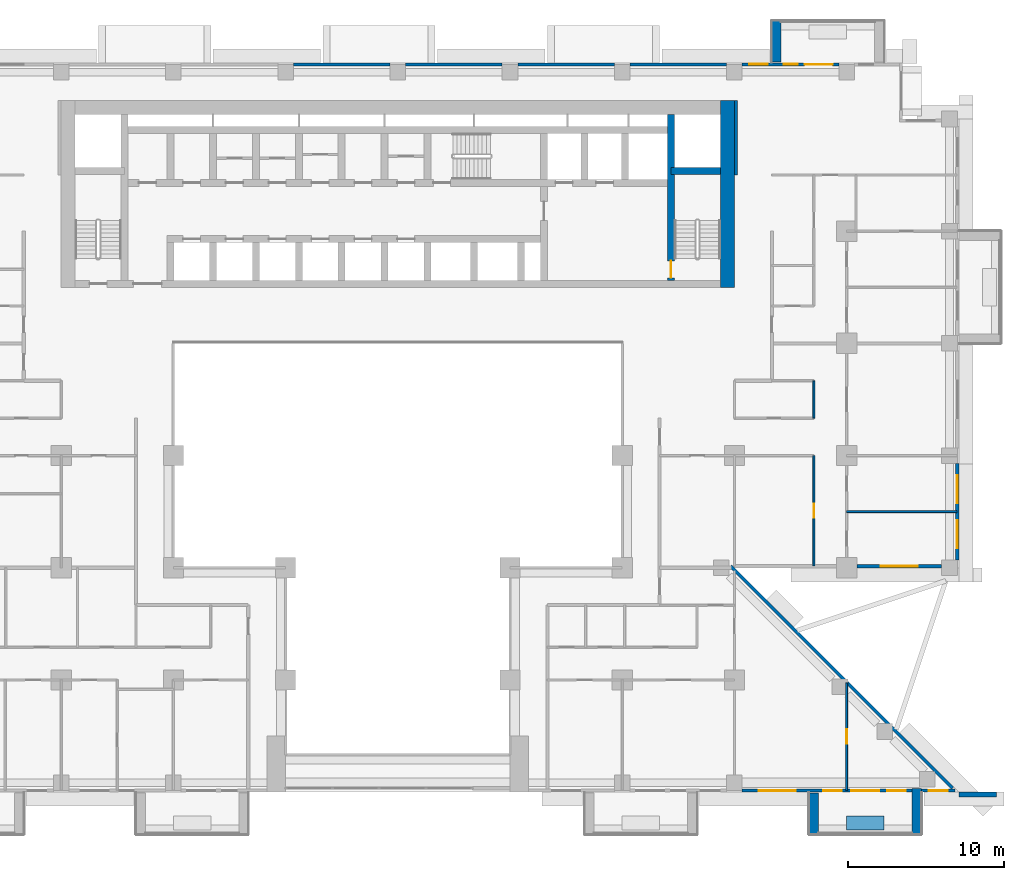
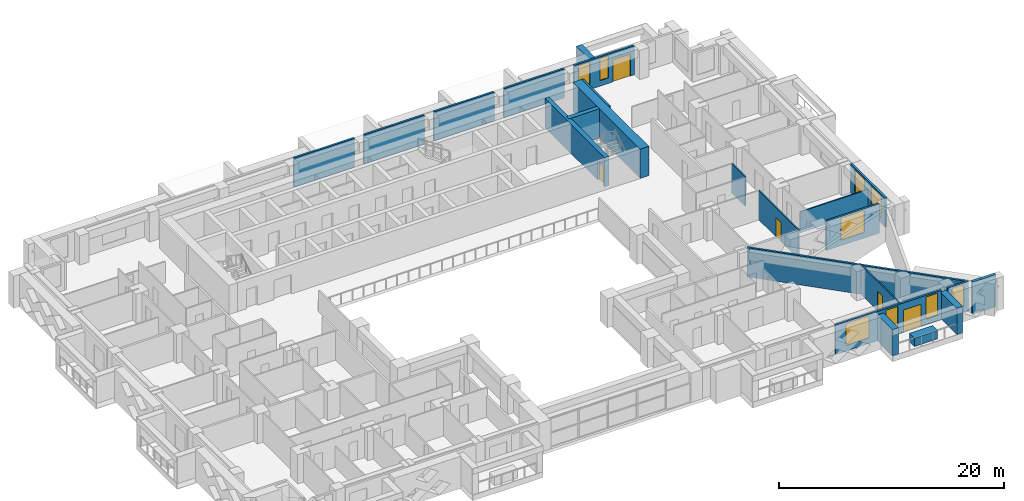
# One storey, part 11 of 17: 23 walls, 9 windows, 5 doors, 14 openings.
"""IFC4 building model written with IfcOpenShell, lengths in metres."""

from ifc_helpers import new_model, si_unit, direction, frame, frame_2d, origin, place, context, subcontext, project, spatial, rectangle, extrude, material, layer, layer_set, type_object, element, fill, save


model = new_model("IFC4")

# Units and contexts
model_context = context("Model", 3, precision=1e-05, world=origin(), true_north=direction((0.0, 1.0)))
body_context = subcontext(model_context, "Body", "Model", "MODEL_VIEW")
ifc_project = project(units=[si_unit("LENGTHUNIT", "METRE"), si_unit("AREAUNIT", "SQUARE_METRE"), si_unit("VOLUMEUNIT", "CUBIC_METRE"), si_unit("PLANEANGLEUNIT", "RADIAN"), si_unit("MASSUNIT", "GRAM", prefix="KILO")], contexts=[model_context])

# Site, building, storey
site_placement = place(None, origin())
site = spatial("IfcSite", under=ifc_project, at=site_placement, CompositionType="ELEMENT")
building_placement = place(site_placement, origin())
building = spatial("IfcBuilding", under=site, at=building_placement, Name="Saffron Iwan Residences", CompositionType="ELEMENT")
storey_placement = place(building_placement, frame((0.0, 0.0, 62.0)))
storey = spatial("IfcBuildingStorey", under=building, at=storey_placement, Name="L15", CompositionType="ELEMENT", Elevation=62.0)

# Walls
ifc_material_1 = material(Name="Concrete C50/60 white painted", Category="concrete")
ifc_layer_1 = layer(ifc_material_1, 0.60009765625)
ifc_layer_set_1 = layer_set([ifc_layer_1], Name="Concrete C50/60 white painted")
wall_type_1 = type_object("IfcWallType", Name="BALCONY FIN 600", PredefinedType="SOLIDWALL", material=ifc_layer_set_1)
for number, where, z_axis, x_axis, name in (
    (1, (74.699951171875, 80.449951171875, 0.0), (0.0, 0.0, 1.0), (0.0, 1.0, 0.0), "Balcony fin L15 F5-0b"),
    (2, (77.10009765625, 33.550048828125, 0.0), (0.0, 0.0, 1.0), (0.0, -1.0, 0.0), "Balcony fin L15 11-3a"),
):
    element("IfcWall", number, at=place(storey_placement, frame(where, z_axis=z_axis, x_axis=x_axis)), inside=storey, type_object=wall_type_1, Name=name, PredefinedType="SOLIDWALL", context=body_context, shape_type="SweptSolid", body=[
        extrude(rectangle(XDim=2.650146484375, YDim=0.60009765625, at=frame_2d((1.3251953125, 0.0))), origin(), (0.0, 0.0, 1.0), 2.85009765625),
    ])
wall_1_placement = place(storey_placement, frame((83.699951171875, 33.841796875, 0.0), z_axis=(0.0, 0.0, 1.0), x_axis=(0.0, -1.0, 0.0)))
element("IfcWall", 3, at=wall_1_placement, inside=storey, type_object=wall_type_1, Name="Balcony fin L15 11-3b", PredefinedType="SOLIDWALL", context=body_context, shape_type="SweptSolid", body=[
    extrude(rectangle(XDim=2.94189453125, YDim=0.60009765625, at=frame_2d((1.470947265625, 0.0))), origin(), (0.0, 0.0, 1.0), 2.85009765625),
])
ifc_material_2 = material(Name="Concrete C35/45 white painted", Category="concrete")
ifc_layer_2 = layer(ifc_material_2, 0.14990234375)
ifc_layer_set_2 = layer_set([ifc_layer_2], Name="Concrete C35/45 white painted")
wall_type_2 = type_object("IfcWallType", Name="BALCONY PLANTER", PredefinedType="SOLIDWALL", material=ifc_layer_set_2)
wall_2_placement = place(storey_placement, frame((79.199951171875, 31.625, 0.0), z_axis=(0.0, 0.0, 1.0), x_axis=(1.0, 0.0, 0.0)))
element("IfcWall", 4, at=wall_2_placement, inside=storey, type_object=wall_type_2, Name="PLANTER L15 11-3", PredefinedType="SOLIDWALL", context=body_context, shape_type="SweptSolid", body=[
    extrude(rectangle(XDim=2.400146484375, YDim=0.89990234375, at=frame_2d((1.2001953125, 0.0))), origin(), (0.0, 0.0, 1.0), 0.89990234375),
])
ifc_material_3 = material(Name="Concrete C40/50", Category="concrete")
ifc_layer_3 = layer(ifc_material_3, 0.199951171875)
ifc_layer_set_3 = layer_set([ifc_layer_3], Name="Concrete C40/50")
wall_type_3 = type_object("IfcWallType", Name="EXTERNAL WALL 200", PredefinedType="SOLIDWALL", material=ifc_layer_set_3)
wall_3_placement = place(storey_placement, frame((85.995849609375, 33.862548828125, 0.0), z_axis=(0.0, 0.0, 1.0), x_axis=(-0.707100718496, 0.707112843825, 0.0)))
element("IfcWall", 5, at=wall_3_placement, inside=storey, type_object=wall_type_3, Name="External wall L15 F0.0", PredefinedType="SOLIDWALL", context=body_context, shape_type="SweptSolid", body=[
    extrude(rectangle(XDim=20.134765625, YDim=0.199951171875, at=frame_2d((10.0673828125, 0.0))), origin(), (0.0, 0.0, 1.0), 3.179931640625),
])

# Wall, opening, window
wall_4_placement = place(storey_placement, frame((79.85009765625, 48.10009765625, 0.0), z_axis=(0.0, 0.0, 1.0), x_axis=(1.0, 0.0, 0.0)))
wall_4 = element("IfcWall", 6, at=wall_4_placement, inside=storey, type_object=wall_type_3, Name="External wall L15 F1.1", PredefinedType="SOLIDWALL", context=body_context, shape_type="SweptSolid", body=[
    extrude(rectangle(XDim=5.449951171875, YDim=0.199951171875, at=frame_2d((2.72509765625, 0.0))), origin(), (0.0, 0.0, 1.0), 3.179931640625),
])
opening_1_placement = place(wall_4_placement, frame((1.52490234375, 0.0, 0.60009765625)))
opening_1 = element("IfcOpeningElement", 7, at=opening_1_placement, cuts=wall_4, Name="Opening W1", PredefinedType="OPENING", context=body_context, shape_type="SweptSolid", body=[
    extrude(rectangle(XDim=2.39990234375, YDim=2.39990234375, at=frame_2d((1.199951171875, 1.199951171875))), frame((0.0, 0.10986328125, 0.0), z_axis=(0.0, -1.0, 0.0), x_axis=(1.0, 0.0, 0.0)), (0.0, 0.0, 1.0), 0.219970703125),
])
ifc_material_4 = material(Name="Clear glass, laminated double glazed", Category="glass")
window_type_1 = type_object("IfcWindowType", Name="WINDOW 2400 x 2400", PartitioningType="DOUBLE_PANEL_VERTICAL", PredefinedType="WINDOW", material=ifc_material_4)
window_1_placement = place(opening_1_placement, origin())
window_1 = element("IfcWindow", 8, at=window_1_placement, inside=storey, type_object=window_type_1, Name="Window L15 F1.0", OverallHeight=2.39990234375, OverallWidth=2.39990234375, PartitioningType="DOUBLE_PANEL_VERTICAL", PredefinedType="WINDOW", context=body_context, shape_type="SweptSolid", body=[
    extrude(rectangle(XDim=2.39990234375, YDim=2.39990234375, at=frame_2d((1.199951171875, 1.199951171875))), frame((0.0, 0.030029296875, 0.0), z_axis=(0.0, -1.0, 0.0), x_axis=(1.0, 0.0, 0.0)), (0.0, 0.0, 1.0), 0.06005859375),
])
fill(opening_1, window_1)

# Wall, openings, windows
wall_5_placement = place(storey_placement, frame((86.300048828125, 48.5, 0.0), z_axis=(0.0, 0.0, 1.0), x_axis=(0.0, 1.0, 0.0)))
wall_5 = element("IfcWall", 9, at=wall_5_placement, inside=storey, type_object=wall_type_3, Name="External wall L15 F2.0", PredefinedType="SOLIDWALL", context=body_context, shape_type="SweptSolid", body=[
    extrude(rectangle(XDim=6.199951171875, YDim=0.199951171875, at=frame_2d((3.10009765625, 0.0))), origin(), (0.0, 0.0, 1.0), 3.179931640625),
])
opening_2_placement = place(wall_5_placement, frame((0.75, 0.0, 0.60009765625)))
opening_2 = element("IfcOpeningElement", 10, at=opening_2_placement, cuts=wall_5, Name="Opening W8", PredefinedType="OPENING", context=body_context, shape_type="SweptSolid", body=[
    extrude(rectangle(XDim=1.800048828125, YDim=2.39990234375, at=frame_2d((0.89990234375, 1.199951171875))), frame((0.0, 0.10986328125, 0.0), z_axis=(0.0, -1.0, 0.0), x_axis=(1.0, 0.0, 0.0)), (0.0, 0.0, 1.0), 0.219970703125),
])
opening_3_placement = place(wall_5_placement, frame((3.64990234375, 0.0, 0.60009765625)))
opening_3 = element("IfcOpeningElement", 11, at=opening_3_placement, cuts=wall_5, Name="Opening W8", PredefinedType="OPENING", context=body_context, shape_type="SweptSolid", body=[
    extrude(rectangle(XDim=1.800048828125, YDim=2.39990234375, at=frame_2d((0.89990234375, 1.199951171875))), frame((0.0, 0.10986328125, 0.0), z_axis=(0.0, -1.0, 0.0), x_axis=(1.0, 0.0, 0.0)), (0.0, 0.0, 1.0), 0.219970703125),
])
window_type_2 = type_object("IfcWindowType", Name="WINDOW 1800 x 2400", PartitioningType="DOUBLE_PANEL_VERTICAL", PredefinedType="WINDOW", material=ifc_material_4)
window_2_placement = place(opening_2_placement, origin())
window_2 = element("IfcWindow", 12, at=window_2_placement, inside=storey, type_object=window_type_2, Name="Window L15 F2.0", OverallHeight=2.39990234375, OverallWidth=1.800048828125, PartitioningType="DOUBLE_PANEL_VERTICAL", PredefinedType="WINDOW", context=body_context, shape_type="SweptSolid", body=[
    extrude(rectangle(XDim=1.800048828125, YDim=2.39990234375, at=frame_2d((0.89990234375, 1.199951171875))), frame((0.0, 0.030029296875, 0.0), z_axis=(0.0, -1.0, 0.0), x_axis=(1.0, 0.0, 0.0)), (0.0, 0.0, 1.0), 0.06005859375),
])
fill(opening_2, window_2)
window_3_placement = place(opening_3_placement, origin())
window_3 = element("IfcWindow", 13, at=window_3_placement, inside=storey, type_object=window_type_2, Name="Window L15 F2.1", OverallHeight=2.39990234375, OverallWidth=1.800048828125, PartitioningType="DOUBLE_PANEL_VERTICAL", PredefinedType="WINDOW", context=body_context, shape_type="SweptSolid", body=[
    extrude(rectangle(XDim=1.800048828125, YDim=2.39990234375, at=frame_2d((0.89990234375, 1.199951171875))), frame((0.0, 0.030029296875, 0.0), z_axis=(0.0, -1.0, 0.0), x_axis=(1.0, 0.0, 0.0)), (0.0, 0.0, 1.0), 0.06005859375),
])
fill(opening_3, window_3)

# Wall, openings, door, windows
wall_6_placement = place(storey_placement, frame((78.699951171875, 80.300048828125, 0.0), z_axis=(0.0, 0.0, 1.0), x_axis=(-1.0, 0.0, 0.0)))
wall_6 = element("IfcWall", 14, at=wall_6_placement, inside=storey, type_object=wall_type_3, Name="External wall L15 F5.1", PredefinedType="SOLIDWALL", context=body_context, shape_type="SweptSolid", body=[
    extrude(rectangle(XDim=6.199951171875, YDim=0.199951171875, at=frame_2d((3.10009765625, 0.0))), origin(), (0.0, 0.0, 1.0), 3.179931640625),
])
opening_4_placement = place(wall_6_placement, frame((0.39990234375, 0.0, 0.0)))
opening_4 = element("IfcOpeningElement", 15, at=opening_4_placement, cuts=wall_6, Name="Opening BD1", PredefinedType="OPENING", context=body_context, shape_type="SweptSolid", body=[
    extrude(rectangle(XDim=1.800048828125, YDim=2.39990234375, at=frame_2d((0.89990234375, 1.199951171875))), frame((0.0, 0.10986328125, 0.0), z_axis=(0.0, -1.0, 0.0), x_axis=(1.0, 0.0, 0.0)), (0.0, 0.0, 1.0), 0.219970703125),
])
opening_5_placement = place(wall_6_placement, frame((2.64990234375, 0.0, 0.60009765625)))
opening_5 = element("IfcOpeningElement", 16, at=opening_5_placement, cuts=wall_6, Name="Opening W10", PredefinedType="OPENING", context=body_context, shape_type="SweptSolid", body=[
    extrude(rectangle(XDim=0.89990234375, YDim=2.39990234375, at=frame_2d((0.449951171875, 1.199951171875))), frame((0.0, 0.10986328125, 0.0), z_axis=(0.0, -1.0, 0.0), x_axis=(1.0, 0.0, 0.0)), (0.0, 0.0, 1.0), 0.219970703125),
])
opening_6_placement = place(wall_6_placement, frame((4.550048828125, 0.0, 0.60009765625)))
opening_6 = element("IfcOpeningElement", 17, at=opening_6_placement, cuts=wall_6, Name="Opening W3", PredefinedType="OPENING", context=body_context, shape_type="SweptSolid", body=[
    extrude(rectangle(XDim=1.199951171875, YDim=2.39990234375, at=frame_2d((0.60009765625, 1.199951171875))), frame((0.0, 0.10986328125, 0.0), z_axis=(0.0, -1.0, 0.0), x_axis=(1.0, 0.0, 0.0)), (0.0, 0.0, 1.0), 0.219970703125),
])
door_type_1 = type_object("IfcDoorType", Name="BALCONY DOOR 1800 x 2400", OperationType="DOUBLE_DOOR_SLIDING", PredefinedType="DOOR", material=ifc_material_4)
door_1_placement = place(opening_4_placement, origin())
door_1 = element("IfcDoor", 18, at=door_1_placement, inside=storey, type_object=door_type_1, Name="Balcony door L15 F5.0", OperationType="DOUBLE_DOOR_SLIDING", OverallHeight=2.39990234375, OverallWidth=1.800048828125, PredefinedType="DOOR", context=body_context, shape_type="SweptSolid", body=[
    extrude(rectangle(XDim=1.800048828125, YDim=2.39990234375, at=frame_2d((0.89990234375, 1.199951171875))), frame((0.0, 0.02490234375, 0.0), z_axis=(0.0, -1.0, 0.0), x_axis=(1.0, 0.0, 0.0)), (0.0, 0.0, 1.0), 0.050048828125),
])
fill(opening_4, door_1)
window_type_3 = type_object("IfcWindowType", Name="WINDOW 1200 x 2400", PartitioningType="SINGLE_PANEL", PredefinedType="WINDOW", material=ifc_material_4)
window_4_placement = place(opening_6_placement, origin())
window_4 = element("IfcWindow", 19, at=window_4_placement, inside=storey, type_object=window_type_3, Name="Window L15 F5.2", OverallHeight=2.39990234375, OverallWidth=1.199951171875, PartitioningType="SINGLE_PANEL", PredefinedType="WINDOW", context=body_context, shape_type="SweptSolid", body=[
    extrude(rectangle(XDim=1.199951171875, YDim=2.39990234375, at=frame_2d((0.60009765625, 1.199951171875))), frame((0.0, 0.030029296875, 0.0), z_axis=(0.0, -1.0, 0.0), x_axis=(1.0, 0.0, 0.0)), (0.0, 0.0, 1.0), 0.06005859375),
])
fill(opening_6, window_4)
window_type_4 = type_object("IfcWindowType", Name="WINDOW 900 x 2400", PartitioningType="SINGLE_PANEL", PredefinedType="WINDOW", material=ifc_material_4)
window_5_placement = place(opening_5_placement, origin())
window_5 = element("IfcWindow", 20, at=window_5_placement, inside=storey, type_object=window_type_4, Name="Window L15 F5.1", OverallHeight=2.39990234375, OverallWidth=0.89990234375, PartitioningType="SINGLE_PANEL", PredefinedType="WINDOW", context=body_context, shape_type="SweptSolid", body=[
    extrude(rectangle(XDim=0.89990234375, YDim=2.39990234375, at=frame_2d((0.449951171875, 1.199951171875))), frame((0.0, 0.030029296875, 0.0), z_axis=(0.0, -1.0, 0.0), x_axis=(1.0, 0.0, 0.0)), (0.0, 0.0, 1.0), 0.06005859375),
])
fill(opening_5, window_5)

# Walls
for number, where, z_axis, x_axis, name in (
    (21, (71.5, 80.300048828125, 0.0), (0.0, 0.0, 1.0), (-1.0, 0.0, 0.0), "External wall L15 F5.2"),
    (22, (64.300048828125, 80.300048828125, 0.0), (0.0, 0.0, 1.0), (-1.0, 0.0, 0.0), "External wall L15 F5.3"),
):
    element("IfcWall", number, at=place(storey_placement, frame(where, z_axis=z_axis, x_axis=x_axis)), inside=storey, type_object=wall_type_3, Name=name, PredefinedType="SOLIDWALL", context=body_context, shape_type="SweptSolid", body=[
        extrude(rectangle(XDim=6.199951171875, YDim=0.199951171875, at=frame_2d((3.10009765625, 0.0))), origin(), (0.0, 0.0, 1.0), 3.179931640625),
    ])
wall_7_placement = place(storey_placement, frame((57.10009765625, 80.300048828125, 0.0), z_axis=(0.0, 0.0, 1.0), x_axis=(-1.0, 0.0, 0.0)))
element("IfcWall", 23, at=wall_7_placement, inside=storey, type_object=wall_type_3, Name="External wall L15 F5.4", PredefinedType="SOLIDWALL", context=body_context, shape_type="SweptSolid", body=[
    extrude(rectangle(XDim=6.2001953125, YDim=0.199951171875, at=frame_2d((3.10009765625, 0.0))), origin(), (0.0, 0.0, 1.0), 3.179931640625),
])
wall_8_placement = place(storey_placement, frame((49.89990234375, 80.300048828125, 0.0), z_axis=(0.0, 0.0, 1.0), x_axis=(-1.0, 0.0, 0.0)))
element("IfcWall", 24, at=wall_8_placement, inside=storey, type_object=wall_type_3, Name="External wall L15 F5.5", PredefinedType="SOLIDWALL", context=body_context, shape_type="SweptSolid", body=[
    extrude(rectangle(XDim=6.199951171875, YDim=0.199951171875, at=frame_2d((3.10009765625, 0.0))), origin(), (0.0, 0.0, 1.0), 3.179931640625),
])

# Wall, openings, door, windows
wall_9_placement = place(storey_placement, frame((72.5, 33.699951171875, 0.0), z_axis=(0.0, 0.0, 1.0), x_axis=(1.0, 0.0, 0.0)))
wall_9 = element("IfcWall", 25, at=wall_9_placement, inside=storey, type_object=wall_type_3, Name="External wall L15 F11.6", PredefinedType="SOLIDWALL", context=body_context, shape_type="SweptSolid", body=[
    extrude(rectangle(XDim=10.89990234375, YDim=0.199951171875, at=frame_2d((5.449951171875, 0.0))), origin(), (0.0, 0.0, 1.0), 3.179931640625),
])
opening_7_placement = place(wall_9_placement, frame((7.0, 0.0, 0.0)))
opening_7 = element("IfcOpeningElement", 26, at=opening_7_placement, cuts=wall_9, Name="Opening BD1", PredefinedType="OPENING", context=body_context, shape_type="SweptSolid", body=[
    extrude(rectangle(XDim=1.800048828125, YDim=2.39990234375, at=frame_2d((0.89990234375, 1.199951171875))), frame((0.0, 0.10986328125, 0.0), z_axis=(0.0, -1.0, 0.0), x_axis=(1.0, 0.0, 0.0)), (0.0, 0.0, 1.0), 0.219970703125),
])
opening_8_placement = place(wall_9_placement, frame((1.050048828125, 0.0, 0.60009765625)))
opening_8 = element("IfcOpeningElement", 27, at=opening_8_placement, cuts=wall_9, Name="Opening W1", PredefinedType="OPENING", context=body_context, shape_type="SweptSolid", body=[
    extrude(rectangle(XDim=2.39990234375, YDim=2.39990234375, at=frame_2d((1.199951171875, 1.199951171875))), frame((0.0, 0.10986328125, 0.0), z_axis=(0.0, -1.0, 0.0), x_axis=(1.0, 0.0, 0.0)), (0.0, 0.0, 1.0), 0.219970703125),
])
opening_9_placement = place(wall_9_placement, frame((5.199951171875, 0.0, 0.60009765625)))
opening_9 = element("IfcOpeningElement", 28, at=opening_9_placement, cuts=wall_9, Name="Opening W3", PredefinedType="OPENING", context=body_context, shape_type="SweptSolid", body=[
    extrude(rectangle(XDim=1.199951171875, YDim=2.39990234375, at=frame_2d((0.60009765625, 1.199951171875))), frame((0.0, 0.10986328125, 0.0), z_axis=(0.0, -1.0, 0.0), x_axis=(1.0, 0.0, 0.0)), (0.0, 0.0, 1.0), 0.219970703125),
])
opening_10_placement = place(wall_9_placement, frame((9.300048828125, 0.0, 0.60009765625)))
opening_10 = element("IfcOpeningElement", 29, at=opening_10_placement, cuts=wall_9, Name="Opening W3", PredefinedType="OPENING", context=body_context, shape_type="SweptSolid", body=[
    extrude(rectangle(XDim=1.199951171875, YDim=2.39990234375, at=frame_2d((0.60009765625, 1.199951171875))), frame((0.0, 0.10986328125, 0.0), z_axis=(0.0, -1.0, 0.0), x_axis=(1.0, 0.0, 0.0)), (0.0, 0.0, 1.0), 0.219970703125),
])
door_2_placement = place(opening_7_placement, origin())
door_2 = element("IfcDoor", 30, at=door_2_placement, inside=storey, type_object=door_type_1, Name="Balcony door L15 F11.0", OperationType="DOUBLE_DOOR_SLIDING", OverallHeight=2.39990234375, OverallWidth=1.800048828125, PredefinedType="DOOR", context=body_context, shape_type="SweptSolid", body=[
    extrude(rectangle(XDim=1.800048828125, YDim=2.39990234375, at=frame_2d((0.89990234375, 1.199951171875))), frame((0.0, 0.02490234375, 0.0), z_axis=(0.0, -1.0, 0.0), x_axis=(1.0, 0.0, 0.0)), (0.0, 0.0, 1.0), 0.050048828125),
])
fill(opening_7, door_2)
window_6_placement = place(opening_9_placement, origin())
window_6 = element("IfcWindow", 31, at=window_6_placement, inside=storey, type_object=window_type_3, Name="Window L15 F11.2", OverallHeight=2.39990234375, OverallWidth=1.199951171875, PartitioningType="SINGLE_PANEL", PredefinedType="WINDOW", context=body_context, shape_type="SweptSolid", body=[
    extrude(rectangle(XDim=1.199951171875, YDim=2.39990234375, at=frame_2d((0.60009765625, 1.199951171875))), frame((0.0, 0.030029296875, 0.0), z_axis=(0.0, -1.0, 0.0), x_axis=(1.0, 0.0, 0.0)), (0.0, 0.0, 1.0), 0.06005859375),
])
fill(opening_9, window_6)
window_7_placement = place(opening_10_placement, origin())
window_7 = element("IfcWindow", 32, at=window_7_placement, inside=storey, type_object=window_type_3, Name="Window L15 F11.3", OverallHeight=2.39990234375, OverallWidth=1.199951171875, PartitioningType="SINGLE_PANEL", PredefinedType="WINDOW", context=body_context, shape_type="SweptSolid", body=[
    extrude(rectangle(XDim=1.199951171875, YDim=2.39990234375, at=frame_2d((0.60009765625, 1.199951171875))), frame((0.0, 0.030029296875, 0.0), z_axis=(0.0, -1.0, 0.0), x_axis=(1.0, 0.0, 0.0)), (0.0, 0.0, 1.0), 0.06005859375),
])
fill(opening_10, window_7)
window_8_placement = place(opening_8_placement, origin())
window_8 = element("IfcWindow", 33, at=window_8_placement, inside=storey, type_object=window_type_1, Name="Window L15 F11.1", OverallHeight=2.39990234375, OverallWidth=2.39990234375, PartitioningType="DOUBLE_PANEL_VERTICAL", PredefinedType="WINDOW", context=body_context, shape_type="SweptSolid", body=[
    extrude(rectangle(XDim=2.39990234375, YDim=2.39990234375, at=frame_2d((1.199951171875, 1.199951171875))), frame((0.0, 0.030029296875, 0.0), z_axis=(0.0, -1.0, 0.0), x_axis=(1.0, 0.0, 0.0)), (0.0, 0.0, 1.0), 0.06005859375),
])
fill(opening_8, window_8)

# Wall, opening, window
wall_10_placement = place(storey_placement, frame((84.0, 33.699951171875, 0.0), z_axis=(0.0, 0.0, 1.0), x_axis=(1.0, 0.0, 0.0)))
wall_10 = element("IfcWall", 34, at=wall_10_placement, inside=storey, type_object=wall_type_3, Name="External wall L15 F11.7", PredefinedType="SOLIDWALL", context=body_context, shape_type="SweptSolid", body=[
    extrude(rectangle(XDim=2.15869140625, YDim=0.199951171875, at=frame_2d((1.079345703125, 0.0))), origin(), (0.0, 0.0, 1.0), 3.179931640625),
])
opening_11_placement = place(wall_10_placement, frame((0.479248046875, 0.0, 0.60009765625)))
opening_11 = element("IfcOpeningElement", 35, at=opening_11_placement, cuts=wall_10, Name="Opening W3", PredefinedType="OPENING", context=body_context, shape_type="SweptSolid", body=[
    extrude(rectangle(XDim=1.199951171875, YDim=2.39990234375, at=frame_2d((0.60009765625, 1.199951171875))), frame((0.0, 0.10986328125, 0.0), z_axis=(0.0, -1.0, 0.0), x_axis=(1.0, 0.0, 0.0)), (0.0, 0.0, 1.0), 0.219970703125),
])
window_9_placement = place(opening_11_placement, origin())
window_9 = element("IfcWindow", 36, at=window_9_placement, inside=storey, type_object=window_type_3, Name="Window L15 F11.0", OverallHeight=2.39990234375, OverallWidth=1.199951171875, PartitioningType="SINGLE_PANEL", PredefinedType="WINDOW", context=body_context, shape_type="SweptSolid", body=[
    extrude(rectangle(XDim=1.199951171875, YDim=2.39990234375, at=frame_2d((0.60009765625, 1.199951171875))), frame((0.0, 0.030029296875, 0.0), z_axis=(0.0, -1.0, 0.0), x_axis=(1.0, 0.0, 0.0)), (0.0, 0.0, 1.0), 0.06005859375),
])
fill(opening_11, window_9)

# Wall
ifc_material_5 = material(Name="Gypsum board partition")
ifc_layer_4 = layer(ifc_material_5, 0.1201171875)
ifc_layer_set_4 = layer_set([ifc_layer_4], Name="Gypsum board partition")
wall_type_4 = type_object("IfcWallType", Name="Flat partition 120", PredefinedType="PARTITIONING", material=ifc_layer_set_4)
wall_11_placement = place(storey_placement, frame((79.199951171875, 51.60009765625, 0.0), z_axis=(0.0, 0.0, 1.0), x_axis=(1.0, 0.0, 0.0)))
element("IfcWall", 37, at=wall_11_placement, inside=storey, type_object=wall_type_4, Name="W-L15-PART-h51.6-79.2", PredefinedType="PARTITIONING", context=body_context, shape_type="SweptSolid", body=[
    extrude(rectangle(XDim=7.074951171875, YDim=0.1201171875, at=frame_2d((3.53759765625, 0.0))), origin(), (0.0, 0.0, 1.0), 2.280029296875),
])

# Wall, opening, door
wall_12_placement = place(storey_placement, frame((77.10009765625, 48.125, 0.0), z_axis=(0.0, 0.0, 1.0), x_axis=(0.0, 1.0, 0.0)))
wall_12 = element("IfcWall", 38, at=wall_12_placement, inside=storey, type_object=wall_type_4, Name="W-L15-PART-v77.1-48.125", PredefinedType="PARTITIONING", context=body_context, shape_type="SweptSolid", body=[
    extrude(rectangle(XDim=7.074951171875, YDim=0.1201171875, at=frame_2d((3.53759765625, 0.0))), origin(), (0.0, 0.0, 1.0), 3.179931640625),
])
opening_12_placement = place(wall_12_placement, frame((3.08740234375, 0.0, 0.0)))
opening_12 = element("IfcOpeningElement", 39, at=opening_12_placement, cuts=wall_12, Name="Opening FD2", PredefinedType="OPENING", context=body_context, shape_type="SweptSolid", body=[
    extrude(rectangle(XDim=0.89990234375, YDim=2.10009765625, at=frame_2d((0.449951171875, 1.050048828125))), frame((0.0, 0.070068359375, 0.0), z_axis=(0.0, -1.0, 0.0), x_axis=(1.0, 0.0, 0.0)), (0.0, 0.0, 1.0), 0.14013671875),
])
ifc_material_6 = material(Name="Timber door", Category="wood")
door_type_2 = type_object("IfcDoorType", Name="Flat door 900", OperationType="NOTDEFINED", PredefinedType="DOOR", material=ifc_material_6)
door_3_placement = place(opening_12_placement, origin())
door_3 = element("IfcDoor", 40, at=door_3_placement, inside=storey, type_object=door_type_2, Name="Door L15-024", OperationType="SINGLE_SWING_LEFT", OverallHeight=2.10009765625, OverallWidth=0.89990234375, PredefinedType="DOOR", context=body_context, shape_type="SweptSolid", body=[
    extrude(rectangle(XDim=0.89990234375, YDim=2.10009765625, at=frame_2d((0.449951171875, 1.050048828125))), frame((0.0, 0.02490234375, 0.0), z_axis=(0.0, -1.0, 0.0), x_axis=(1.0, 0.0, 0.0)), (0.0, 0.0, 1.0), 0.050048828125),
])
fill(opening_12, door_3)

# Wall
wall_13_placement = place(storey_placement, frame((77.10009765625, 57.60009765625, 0.0), z_axis=(0.0, 0.0, 1.0), x_axis=(0.0, 1.0, 0.0)))
element("IfcWall", 41, at=wall_13_placement, inside=storey, type_object=wall_type_4, Name="W-L15-PART-v77.1-57.6", PredefinedType="PARTITIONING", context=body_context, shape_type="SweptSolid", body=[
    extrude(rectangle(XDim=2.39990234375, YDim=0.1201171875, at=frame_2d((1.199951171875, 0.0))), origin(), (0.0, 0.0, 1.0), 3.179931640625),
])

# Wall, opening, door
wall_14_placement = place(storey_placement, frame((79.199951171875, 33.72509765625, 0.0), z_axis=(0.0, 0.0, 1.0), x_axis=(0.0, 1.0, 0.0)))
wall_14 = element("IfcWall", 42, at=wall_14_placement, inside=storey, type_object=wall_type_4, Name="W-L15-PART-v79.2-33.725", PredefinedType="PARTITIONING", context=body_context, shape_type="SweptSolid", body=[
    extrude(rectangle(XDim=6.89794921875, YDim=0.1201171875, at=frame_2d((3.448974609375, 0.0))), origin(), (0.0, 0.0, 1.0), 3.179931640625),
])
opening_13_placement = place(wall_14_placement, frame((2.9990234375, 0.0, 0.0)))
opening_13 = element("IfcOpeningElement", 43, at=opening_13_placement, cuts=wall_14, Name="Opening FD2", PredefinedType="OPENING", context=body_context, shape_type="SweptSolid", body=[
    extrude(rectangle(XDim=0.89990234375, YDim=2.10009765625, at=frame_2d((0.449951171875, 1.050048828125))), frame((0.0, 0.070068359375, 0.0), z_axis=(0.0, -1.0, 0.0), x_axis=(1.0, 0.0, 0.0)), (0.0, 0.0, 1.0), 0.14013671875),
])
door_4_placement = place(opening_13_placement, origin())
door_4 = element("IfcDoor", 44, at=door_4_placement, inside=storey, type_object=door_type_2, Name="Door L15-049", OperationType="SINGLE_SWING_RIGHT", OverallHeight=2.10009765625, OverallWidth=0.89990234375, PredefinedType="DOOR", context=body_context, shape_type="SweptSolid", body=[
    extrude(rectangle(XDim=0.89990234375, YDim=2.10009765625, at=frame_2d((0.449951171875, 1.050048828125))), frame((0.0, 0.02490234375, 0.0), z_axis=(0.0, -1.0, 0.0), x_axis=(1.0, 0.0, 0.0)), (0.0, 0.0, 1.0), 0.050048828125),
])
fill(opening_13, door_4)

# Walls
ifc_material_7 = material(Name="Fire-rated gypsum board wall")
ifc_layer_5 = layer(ifc_material_7, 0.199951171875)
ifc_layer_set_5 = layer_set([ifc_layer_5], Name="Fire-rated gypsum board wall")
wall_type_5 = type_object("IfcWallType", Name="Gallery wall 200", PredefinedType="SOLIDWALL", material=ifc_layer_set_5)
wall_15_placement = place(storey_placement, frame((72.10009765625, 73.199951171875, 0.0), z_axis=(0.0, 0.0, 1.0), x_axis=(0.0, 1.0, 0.0)))
element("IfcWall", 45, at=wall_15_placement, inside=storey, type_object=wall_type_5, Name="W-L15-CORR-v72-73.2", PredefinedType="SOLIDWALL", context=body_context, shape_type="SweptSolid", body=[
    extrude(rectangle(XDim=4.800048828125, YDim=0.199951171875, at=frame_2d((2.39990234375, 0.0))), origin(), (0.0, 0.0, 1.0), 3.179931640625),
])
ifc_layer_6 = layer(ifc_material_1, 0.300048828125)
ifc_layer_set_6 = layer_set([ifc_layer_6], Name="Concrete C50/60 white painted")
wall_type_6 = type_object("IfcWallType", Name="PROW BLADE 300", PredefinedType="SOLIDWALL", material=ifc_layer_set_6)
wall_16_placement = place(storey_placement, frame((86.39990234375, 33.449951171875, -0.320068359375), z_axis=(0.0, 0.0, 1.0), x_axis=(1.0, 0.0, 0.0)))
element("IfcWall", 46, at=wall_16_placement, inside=storey, type_object=wall_type_6, Name="Prow blade L15", PredefinedType="SOLIDWALL", context=body_context, shape_type="SweptSolid", body=[
    extrude(rectangle(XDim=2.400146484375, YDim=0.300048828125, at=frame_2d((1.2001953125, 0.0))), origin(), (0.0, 0.0, 1.0), 3.5),
])
ifc_material_8 = material(Name="Concrete C60/75", Category="concrete")
ifc_layer_7 = layer(ifc_material_8, 0.449951171875)
ifc_layer_set_7 = layer_set([ifc_layer_7], Name="Concrete C60/75")
wall_type_7 = type_object("IfcWallType", Name="WALL CORE 450 C60/75 3180 HIGH", PredefinedType="SHEAR", material=ifc_layer_set_7)
wall_17_placement = place(storey_placement, frame((67.925048828125, 73.47509765625, 0.0), z_axis=(0.0, 0.0, 1.0), x_axis=(1.0, 0.0, 0.0)))
element("IfcWall", 47, at=wall_17_placement, inside=storey, type_object=wall_type_7, Name="Core wall", PredefinedType="SHEAR", context=body_context, shape_type="SweptSolid", body=[
    extrude(rectangle(XDim=3.175048828125, YDim=0.449951171875, at=frame_2d((1.58740234375, 0.0))), origin(), (0.0, 0.0, 1.0), 3.179931640625),
])

# Wall, opening, door
wall_18_placement = place(storey_placement, frame((67.925048828125, 66.449951171875, 0.0), z_axis=(0.0, 0.0, 1.0), x_axis=(0.0, 1.0, 0.0)))
wall_18 = element("IfcWall", 48, at=wall_18_placement, inside=storey, type_object=wall_type_7, Name="Core wall", PredefinedType="SHEAR", context=body_context, shape_type="SweptSolid", body=[
    extrude(rectangle(XDim=10.650146484375, YDim=0.449951171875, at=frame_2d((5.3251953125, 0.0))), origin(), (0.0, 0.0, 1.0), 3.179931640625),
])
opening_14_placement = place(wall_18_placement, frame((0.14990234375, 0.0, 0.0)))
opening_14 = element("IfcOpeningElement", 49, at=opening_14_placement, cuts=wall_18, Name="Opening SD", PredefinedType="OPENING", context=body_context, shape_type="SweptSolid", body=[
    extrude(rectangle(XDim=1.10009765625, YDim=2.10009765625, at=frame_2d((0.550048828125, 1.050048828125))), frame((0.0, 0.23486328125, 0.0), z_axis=(0.0, -1.0, 0.0), x_axis=(1.0, 0.0, 0.0)), (0.0, 0.0, 1.0), 0.469970703125),
])
ifc_material_9 = material(Name="Steel fire door", Category="steel")
door_type_3 = type_object("IfcDoorType", Name="Stair door 1100", OperationType="NOTDEFINED", PredefinedType="DOOR", material=ifc_material_9)
door_5_placement = place(opening_14_placement, origin())
door_5 = element("IfcDoor", 50, at=door_5_placement, inside=storey, type_object=door_type_3, Name="Stair door ST-E", OperationType="SINGLE_SWING_LEFT", OverallHeight=2.10009765625, OverallWidth=1.10009765625, PredefinedType="DOOR", context=body_context, shape_type="SweptSolid", body=[
    extrude(rectangle(XDim=1.10009765625, YDim=2.10009765625, at=frame_2d((0.550048828125, 1.050048828125))), frame((0.0, 0.02490234375, 0.0), z_axis=(0.0, -1.0, 0.0), x_axis=(1.0, 0.0, 0.0)), (0.0, 0.0, 1.0), 0.050048828125),
])
fill(opening_14, door_5)

# Wall
ifc_layer_8 = layer(ifc_material_8, 0.89990234375)
ifc_layer_set_8 = layer_set([ifc_layer_8], Name="Concrete C60/75")
wall_type_8 = type_object("IfcWallType", Name="WALL CORE 900 C60/75 3180 HIGH", PredefinedType="SHEAR", material=ifc_layer_set_8)
wall_19_placement = place(storey_placement, frame((71.550048828125, 66.0, 0.0), z_axis=(0.0, 0.0, 1.0), x_axis=(0.0, 1.0, 0.0)))
element("IfcWall", 51, at=wall_19_placement, inside=storey, type_object=wall_type_8, Name="Core wall", PredefinedType="SHEAR", context=body_context, shape_type="SweptSolid", body=[
    extrude(rectangle(XDim=12.0, YDim=0.89990234375, at=frame_2d((6.0, 0.0))), origin(), (0.0, 0.0, 1.0), 3.179931640625),
])

save(model, "model.ifc")
